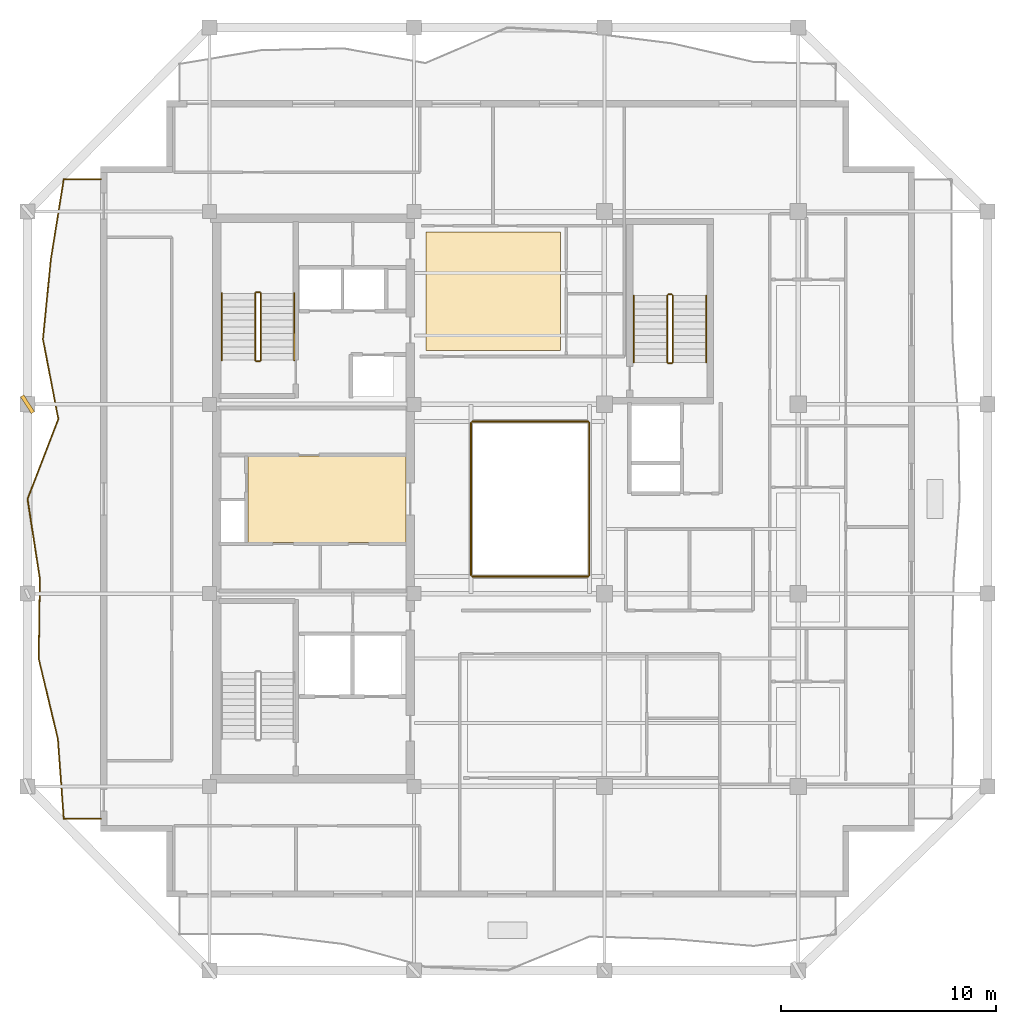
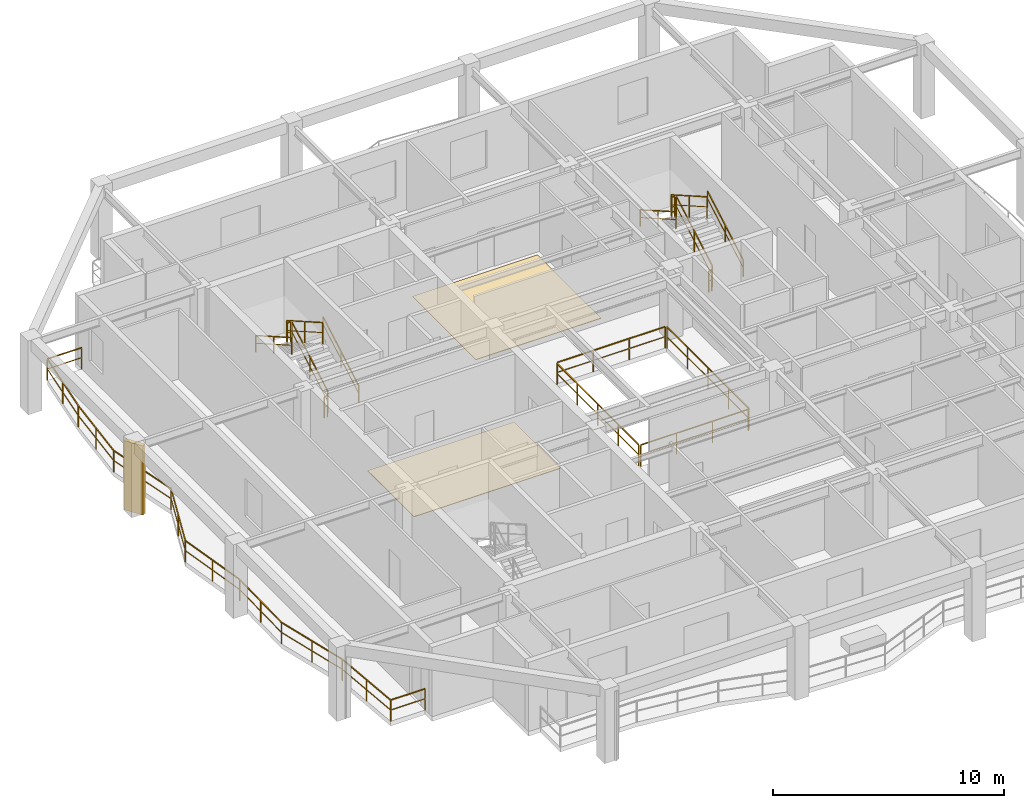
# One storey, part 8 of 10: 17 railings, 2 coverings, 1 shading device.
"""IFC4 building model written with IfcOpenShell, lengths in metres."""

from ifc_helpers import new_model, si_unit, direction, frame, origin, origin_2d, place, context, subcontext, project, spatial, polyline, rectangle, outline, extrude, material, layer, layer_set, type_object, element, save


model = new_model("IFC4")

# Units and contexts
model_context = context("Model", 3, precision=1e-05, world=origin(), true_north=direction((0.0, 1.0)))
body_context = subcontext(model_context, "Body", "Model", "MODEL_VIEW")
ifc_project = project(units=[si_unit("LENGTHUNIT", "METRE"), si_unit("AREAUNIT", "SQUARE_METRE"), si_unit("VOLUMEUNIT", "CUBIC_METRE"), si_unit("PLANEANGLEUNIT", "RADIAN"), si_unit("MASSUNIT", "GRAM", prefix="KILO")], contexts=[model_context])

# Site, building, storey
site_placement = place(None, origin())
site = spatial("IfcSite", under=ifc_project, at=site_placement, CompositionType="ELEMENT")
building_placement = place(site_placement, origin())
building = spatial("IfcBuilding", under=site, at=building_placement, Name="Kundavana Baori Tower", CompositionType="ELEMENT")
storey_placement = place(building_placement, frame((0.0, 0.0, 284.300048828125)))
storey = spatial("IfcBuildingStorey", under=building, at=storey_placement, Name="L70", CompositionType="ELEMENT", Elevation=284.300048828125)

# Coverings
ifc_material_1 = material(Name="Honed Kota Stone and Terrazzo Flooring", Category="masonry")
ifc_layer = layer(ifc_material_1, 0.030029296875, Name="COV-INT-FLR")
ifc_layer_set = layer_set([ifc_layer], Name="Honed Kota Stone and Terrazzo Flooring")
covering_type = type_object("IfcCoveringType", Name="COV-INT-FLR", PredefinedType="FLOORING", material=ifc_layer_set)
covering_1_placement = place(storey_placement, origin())
element("IfcCovering", 1, at=covering_1_placement, inside=storey, type_object=covering_type, Name="L70 Room Finished Stone Flooring 2", PredefinedType="FLOORING", context=body_context, shape_type="SweptSolid", body=[
    extrude(outline(polyline([(25.5, 35.5), (31.75, 35.5), (31.75, 41.010009765625), (25.5, 41.010009765625), (25.5, 35.5)])), origin(), (0.0, 0.0, 1.0), 0.030029296875),
])
covering_2_placement = place(storey_placement, origin())
element("IfcCovering", 2, at=covering_2_placement, inside=storey, type_object=covering_type, Name="L70 Core Lift Lobby Kota Stone Flooring", PredefinedType="FLOORING", context=body_context, shape_type="SweptSolid", body=[
    extrude(outline(polyline([(17.25, 26.580078125), (24.580078125, 26.580078125), (24.580078125, 30.60009765625), (17.25, 30.60009765625), (17.25, 26.580078125)])), origin(), (0.0, 0.0, 1.0), 0.030029296875),
])

# Railings
ifc_material_2 = material(Name="Architectural Patinated Bronze Metalwork")
railing_type_1 = type_object("IfcRailingType", Name="RL-BAL-1150", PredefinedType="BALUSTRADE", material=ifc_material_2)
railing_1_placement = place(storey_placement, frame((10.39990234375, 13.75, 0.0)))
element("IfcRailing", 3, at=railing_1_placement, inside=storey, type_object=railing_type_1, Name="L70 Loggia Balcony Balustrade W", PredefinedType="BALUSTRADE", context=body_context, shape_type="SweptSolid", body=[
    extrude(rectangle(XDim=0.048095703125, YDim=0.048095703125, at=origin_2d()), frame((0.0, 0.0, 1.1259765625), z_axis=(-1.0, 0.0, 0.0), x_axis=(0.0, -1.0, 0.0)), (0.0, 0.0, 1.0), 1.719970703125),
    extrude(rectangle(XDim=0.03125, YDim=0.03125, at=origin_2d()), frame((0.0, 0.0, 0.597900390625), z_axis=(-1.0, 0.0, 0.0), x_axis=(0.0, -1.0, 0.0)), (0.0, 0.0, 1.0), 1.719970703125),
    extrude(rectangle(XDim=0.048095703125, YDim=0.048095703125, at=origin_2d()), frame((-1.719970703125, 0.0, 1.1259765625), z_axis=(-0.073596242434, 0.997288119402, 0.0), x_axis=(-0.997288119402, -0.073596242434, 0.0)), (0.0, 0.0, 1.0), 3.721923828125),
    extrude(rectangle(XDim=0.03125, YDim=0.03125, at=origin_2d()), frame((-1.719970703125, 0.0, 0.597900390625), z_axis=(-0.073596242434, 0.997288119402, 0.0), x_axis=(-0.997288119402, -0.073596242434, 0.0)), (0.0, 0.0, 1.0), 3.721923828125),
    extrude(rectangle(XDim=0.048095703125, YDim=0.048095703125, at=origin_2d()), frame((-1.993896484375, 3.7119140625, 1.1259765625), z_axis=(-0.232577158128, 0.972577948299, 0.0), x_axis=(-0.972577948299, -0.232577158128, 0.0)), (0.0, 0.0, 1.0), 3.81787109375),
    extrude(rectangle(XDim=0.03125, YDim=0.03125, at=origin_2d()), frame((-1.993896484375, 3.7119140625, 0.597900390625), z_axis=(-0.232577158128, 0.972577948299, 0.0), x_axis=(-0.972577948299, -0.232577158128, 0.0)), (0.0, 0.0, 1.0), 3.81787109375),
    extrude(rectangle(XDim=0.048095703125, YDim=0.048095703125, at=origin_2d()), frame((-2.8818359375, 7.425048828125, 1.1259765625), z_axis=(0.014004412928, 0.999901933401, 0.0), x_axis=(-0.999901933401, 0.014004412928, 0.0)), (0.0, 0.0, 1.0), 3.713134765625),
    extrude(rectangle(XDim=0.03125, YDim=0.03125, at=origin_2d()), frame((-2.8818359375, 7.425048828125, 0.597900390625), z_axis=(0.014004412928, 0.999901933401, 0.0), x_axis=(-0.999901933401, 0.014004412928, 0.0)), (0.0, 0.0, 1.0), 3.713134765625),
    extrude(rectangle(XDim=0.048095703125, YDim=0.048095703125, at=origin_2d()), frame((-2.829833984375, 11.137939453125, 1.1259765625), z_axis=(-0.1517885131, 0.988412994295, 0.0), x_axis=(-0.988412994295, -0.1517885131, 0.0)), (0.0, 0.0, 1.0), 3.755615234375),
    extrude(rectangle(XDim=0.03125, YDim=0.03125, at=origin_2d()), frame((-2.829833984375, 11.137939453125, 0.597900390625), z_axis=(-0.1517885131, 0.988412994295, 0.0), x_axis=(-0.988412994295, -0.1517885131, 0.0)), (0.0, 0.0, 1.0), 3.755615234375),
    extrude(rectangle(XDim=0.048095703125, YDim=0.048095703125, at=origin_2d()), frame((-3.39990234375, 14.85009765625, 1.1259765625), z_axis=(0.359262870642, 0.933236406158, 0.0), x_axis=(-0.933236406158, 0.359262870642, 0.0)), (0.0, 0.0, 1.0), 3.9775390625),
    extrude(rectangle(XDim=0.03125, YDim=0.03125, at=origin_2d()), frame((-3.39990234375, 14.85009765625, 0.597900390625), z_axis=(0.359262870642, 0.933236406158, 0.0), x_axis=(-0.933236406158, 0.359262870642, 0.0)), (0.0, 0.0, 1.0), 3.9775390625),
    extrude(rectangle(XDim=0.048095703125, YDim=0.048095703125, at=origin_2d()), frame((-1.970947265625, 18.56201171875, 1.1259765625), z_axis=(-0.189369413955, 0.981905914565, 0.0), x_axis=(-0.981905914565, -0.189369413955, 0.0)), (0.0, 0.0, 1.0), 3.78125),
    extrude(rectangle(XDim=0.03125, YDim=0.03125, at=origin_2d()), frame((-1.970947265625, 18.56201171875, 0.597900390625), z_axis=(-0.189369413955, 0.981905914565, 0.0), x_axis=(-0.981905914565, -0.189369413955, 0.0)), (0.0, 0.0, 1.0), 3.78125),
    extrude(rectangle(XDim=0.048095703125, YDim=0.048095703125, at=origin_2d()), frame((-2.68701171875, 22.27490234375, 1.1259765625), z_axis=(0.098667997576, 0.995120407918, 0.0), x_axis=(-0.995120407918, 0.098667997576, 0.0)), (0.0, 0.0, 1.0), 3.7314453125),
    extrude(rectangle(XDim=0.03125, YDim=0.03125, at=origin_2d()), frame((-2.68701171875, 22.27490234375, 0.597900390625), z_axis=(0.098667997576, 0.995120407918, 0.0), x_axis=(-0.995120407918, 0.098667997576, 0.0)), (0.0, 0.0, 1.0), 3.7314453125),
    extrude(rectangle(XDim=0.048095703125, YDim=0.048095703125, at=origin_2d()), frame((-2.31884765625, 25.988037109375, 1.1259765625), z_axis=(0.159279392868, 0.987233546334, 0.0), x_axis=(-0.987233546334, 0.159279392868, 0.0)), (0.0, 0.0, 1.0), 3.760009765625),
    extrude(rectangle(XDim=0.03125, YDim=0.03125, at=origin_2d()), frame((-2.31884765625, 25.988037109375, 0.597900390625), z_axis=(0.159279392868, 0.987233546334, 0.0), x_axis=(-0.987233546334, 0.159279392868, 0.0)), (0.0, 0.0, 1.0), 3.760009765625),
    extrude(rectangle(XDim=0.048095703125, YDim=0.048095703125, at=origin_2d()), frame((-1.719970703125, 29.699951171875, 1.1259765625), z_axis=(1.0, 0.0, 0.0), x_axis=(0.0, 1.0, 0.0)), (0.0, 0.0, 1.0), 1.719970703125),
    extrude(rectangle(XDim=0.03125, YDim=0.03125, at=origin_2d()), frame((-1.719970703125, 29.699951171875, 0.597900390625), z_axis=(1.0, 0.0, 0.0), x_axis=(0.0, 1.0, 0.0)), (0.0, 0.0, 1.0), 1.719970703125),
    extrude(rectangle(XDim=0.0419921875, YDim=0.0419921875, at=origin_2d()), origin(), (0.0, 0.0, 1.0), 1.101806640625),
    extrude(rectangle(XDim=0.0419921875, YDim=0.0419921875, at=origin_2d()), frame((-1.719970703125, 0.0, 0.0)), (0.0, 0.0, 1.0), 1.101806640625),
    extrude(rectangle(XDim=0.0419921875, YDim=0.0419921875, at=origin_2d()), frame((-1.85693359375, 1.85595703125, 0.0)), (0.0, 0.0, 1.0), 1.101806640625),
    extrude(rectangle(XDim=0.0419921875, YDim=0.0419921875, at=origin_2d()), frame((-1.993896484375, 3.7119140625, 0.0)), (0.0, 0.0, 1.0), 1.101806640625),
    extrude(rectangle(XDim=0.0419921875, YDim=0.0419921875, at=origin_2d()), frame((-2.43798828125, 5.568359375, 0.0)), (0.0, 0.0, 1.0), 1.101806640625),
    extrude(rectangle(XDim=0.0419921875, YDim=0.0419921875, at=origin_2d()), frame((-2.8818359375, 7.425048828125, 0.0)), (0.0, 0.0, 1.0), 1.101806640625),
    extrude(rectangle(XDim=0.0419921875, YDim=0.0419921875, at=origin_2d()), frame((-2.85595703125, 9.281494140625, 0.0)), (0.0, 0.0, 1.0), 1.101806640625),
    extrude(rectangle(XDim=0.0419921875, YDim=0.0419921875, at=origin_2d()), frame((-2.829833984375, 11.137939453125, 0.0)), (0.0, 0.0, 1.0), 1.101806640625),
    extrude(rectangle(XDim=0.0419921875, YDim=0.0419921875, at=origin_2d()), frame((-3.11474609375, 12.994140625, 0.0)), (0.0, 0.0, 1.0), 1.101806640625),
    extrude(rectangle(XDim=0.0419921875, YDim=0.0419921875, at=origin_2d()), frame((-3.39990234375, 14.85009765625, 0.0)), (0.0, 0.0, 1.0), 1.101806640625),
    extrude(rectangle(XDim=0.0419921875, YDim=0.0419921875, at=origin_2d()), frame((-2.685546875, 16.7060546875, 0.0)), (0.0, 0.0, 1.0), 1.101806640625),
    extrude(rectangle(XDim=0.0419921875, YDim=0.0419921875, at=origin_2d()), frame((-1.970947265625, 18.56201171875, 0.0)), (0.0, 0.0, 1.0), 1.101806640625),
    extrude(rectangle(XDim=0.0419921875, YDim=0.0419921875, at=origin_2d()), frame((-2.3291015625, 20.41845703125, 0.0)), (0.0, 0.0, 1.0), 1.101806640625),
    extrude(rectangle(XDim=0.0419921875, YDim=0.0419921875, at=origin_2d()), frame((-2.68701171875, 22.27490234375, 0.0)), (0.0, 0.0, 1.0), 1.101806640625),
    extrude(rectangle(XDim=0.0419921875, YDim=0.0419921875, at=origin_2d()), frame((-2.5029296875, 24.13134765625, 0.0)), (0.0, 0.0, 1.0), 1.101806640625),
    extrude(rectangle(XDim=0.0419921875, YDim=0.0419921875, at=origin_2d()), frame((-2.31884765625, 25.988037109375, 0.0)), (0.0, 0.0, 1.0), 1.101806640625),
    extrude(rectangle(XDim=0.0419921875, YDim=0.0419921875, at=origin_2d()), frame((-2.01953125, 27.843994140625, 0.0)), (0.0, 0.0, 1.0), 1.101806640625),
    extrude(rectangle(XDim=0.0419921875, YDim=0.0419921875, at=origin_2d()), frame((-1.719970703125, 29.699951171875, 0.0)), (0.0, 0.0, 1.0), 1.101806640625),
    extrude(rectangle(XDim=0.0419921875, YDim=0.0419921875, at=origin_2d()), frame((0.0, 29.699951171875, 0.0)), (0.0, 0.0, 1.0), 1.101806640625),
])
ifc_material_3 = material(Name="Architectural Patinated Bronze Metalwork")
railing_type_2 = type_object("IfcRailingType", Name="RL-GRD-1150", PredefinedType="GUARDRAIL", material=ifc_material_3)
railing_2_placement = place(storey_placement, frame((17.840087890625, 35.050048828125, 0.17724609375)))
element("IfcRailing", 4, at=railing_2_placement, inside=storey, type_object=railing_type_2, Name="L70 ST2 stair guard 1", PredefinedType="GUARDRAIL", context=body_context, shape_type="SweptSolid", body=[
    extrude(rectangle(XDim=0.048095703125, YDim=0.048095703125, at=origin_2d()), frame((0.0, 0.0, 1.1259765625), z_axis=(0.0, 0.868079009454, 0.496426060301), x_axis=(-1.0, 0.0, 0.0)), (0.0, 0.0, 1.0), 3.571044921875),
    extrude(rectangle(XDim=0.03125, YDim=0.03125, at=origin_2d()), frame((0.0, 0.0, 0.597900390625), z_axis=(0.0, 0.868079009454, 0.496426060301), x_axis=(-1.0, 0.0, 0.0)), (0.0, 0.0, 1.0), 3.571044921875),
    extrude(rectangle(XDim=0.0419921875, YDim=0.0419921875, at=origin_2d()), origin(), (0.0, 0.0, 1.0), 1.101806640625),
    extrude(rectangle(XDim=0.0419921875, YDim=0.0419921875, at=origin_2d()), frame((0.0, 1.5498046875, 0.88623046875)), (0.0, 0.0, 1.0), 1.101806640625),
    extrude(rectangle(XDim=0.0419921875, YDim=0.0419921875, at=origin_2d()), frame((0.0, 3.099853515625, 1.772705078125)), (0.0, 0.0, 1.0), 1.101806640625),
])
railing_3_placement = place(storey_placement, frame((17.7900390625, 38.199951171875, 1.949951171875)))
element("IfcRailing", 5, at=railing_3_placement, inside=storey, type_object=railing_type_2, Name="L70 ST2 stair guard 2", PredefinedType="GUARDRAIL", context=body_context, shape_type="SweptSolid", body=[
    extrude(rectangle(XDim=0.048095703125, YDim=0.048095703125, at=origin_2d()), frame((0.0, 0.0, 1.1259765625), z_axis=(-1.0, 0.0, 0.0), x_axis=(0.0, -1.0, 0.0)), (0.0, 0.0, 1.0), 0.16015625),
    extrude(rectangle(XDim=0.03125, YDim=0.03125, at=origin_2d()), frame((0.0, 0.0, 0.597900390625), z_axis=(-1.0, 0.0, 0.0), x_axis=(0.0, -1.0, 0.0)), (0.0, 0.0, 1.0), 0.16015625),
    extrude(rectangle(XDim=0.0419921875, YDim=0.0419921875, at=origin_2d()), origin(), (0.0, 0.0, 1.0), 1.101806640625),
    extrude(rectangle(XDim=0.0419921875, YDim=0.0419921875, at=origin_2d()), frame((-0.16015625, 0.0, 0.0)), (0.0, 0.0, 1.0), 1.101806640625),
])
railing_4_placement = place(storey_placement, frame((17.580078125, 38.14990234375, 2.127197265625)))
element("IfcRailing", 6, at=railing_4_placement, inside=storey, type_object=railing_type_2, Name="L70 ST2 stair guard 3", PredefinedType="GUARDRAIL", context=body_context, shape_type="SweptSolid", body=[
    extrude(rectangle(XDim=0.048095703125, YDim=0.048095703125, at=origin_2d()), frame((0.0, 0.0, 1.1259765625), z_axis=(0.0, -0.868079009454, 0.496426060301), x_axis=(1.0, 0.0, 0.0)), (0.0, 0.0, 1.0), 3.571044921875),
    extrude(rectangle(XDim=0.03125, YDim=0.03125, at=origin_2d()), frame((0.0, 0.0, 0.597900390625), z_axis=(0.0, -0.868079009454, 0.496426060301), x_axis=(1.0, 0.0, 0.0)), (0.0, 0.0, 1.0), 3.571044921875),
    extrude(rectangle(XDim=0.0419921875, YDim=0.0419921875, at=origin_2d()), origin(), (0.0, 0.0, 1.0), 1.101806640625),
    extrude(rectangle(XDim=0.0419921875, YDim=0.0419921875, at=origin_2d()), frame((0.0, -1.5498046875, 0.88623046875)), (0.0, 0.0, 1.0), 1.101806640625),
    extrude(rectangle(XDim=0.0419921875, YDim=0.0419921875, at=origin_2d()), frame((0.0, -3.099853515625, 1.772705078125)), (0.0, 0.0, 1.0), 1.101806640625),
])
railing_5_placement = place(storey_placement, frame((17.7900390625, 35.0, 0.0)))
element("IfcRailing", 7, at=railing_5_placement, inside=storey, type_object=railing_type_2, Name="L70 ST2 stair guard 4", PredefinedType="GUARDRAIL", context=body_context, shape_type="SweptSolid", body=[
    extrude(rectangle(XDim=0.048095703125, YDim=0.048095703125, at=origin_2d()), frame((0.0, 0.0, 1.1259765625), z_axis=(-1.0, 0.0, 0.0), x_axis=(0.0, -1.0, 0.0)), (0.0, 0.0, 1.0), 0.16015625),
    extrude(rectangle(XDim=0.03125, YDim=0.03125, at=origin_2d()), frame((0.0, 0.0, 0.597900390625), z_axis=(-1.0, 0.0, 0.0), x_axis=(0.0, -1.0, 0.0)), (0.0, 0.0, 1.0), 0.16015625),
    extrude(rectangle(XDim=0.0419921875, YDim=0.0419921875, at=origin_2d()), origin(), (0.0, 0.0, 1.0), 1.101806640625),
    extrude(rectangle(XDim=0.0419921875, YDim=0.0419921875, at=origin_2d()), frame((-0.16015625, 0.0, 0.0)), (0.0, 0.0, 1.0), 1.101806640625),
])
railing_6_placement = place(storey_placement, frame((36.97998046875, 34.949951171875, 0.17724609375)))
element("IfcRailing", 8, at=railing_6_placement, inside=storey, type_object=railing_type_2, Name="L70 ST3 stair guard 1", PredefinedType="GUARDRAIL", context=body_context, shape_type="SweptSolid", body=[
    extrude(rectangle(XDim=0.048095703125, YDim=0.048095703125, at=origin_2d()), frame((0.0, 0.0, 1.1259765625), z_axis=(0.0, 0.868095856688, 0.496396599103), x_axis=(-1.0, 0.0, 0.0)), (0.0, 0.0, 1.0), 3.571044921875),
    extrude(rectangle(XDim=0.03125, YDim=0.03125, at=origin_2d()), frame((0.0, 0.0, 0.597900390625), z_axis=(0.0, 0.868095856688, 0.496396599103), x_axis=(-1.0, 0.0, 0.0)), (0.0, 0.0, 1.0), 3.571044921875),
    extrude(rectangle(XDim=0.0419921875, YDim=0.0419921875, at=origin_2d()), origin(), (0.0, 0.0, 1.0), 1.101806640625),
    extrude(rectangle(XDim=0.0419921875, YDim=0.0419921875, at=origin_2d()), frame((0.0, 1.550048828125, 0.88623046875)), (0.0, 0.0, 1.0), 1.101806640625),
    extrude(rectangle(XDim=0.0419921875, YDim=0.0419921875, at=origin_2d()), frame((0.0, 3.10009765625, 1.772705078125)), (0.0, 0.0, 1.0), 1.101806640625),
])
railing_7_placement = place(storey_placement, frame((36.929931640625, 38.10009765625, 1.949951171875)))
element("IfcRailing", 9, at=railing_7_placement, inside=storey, type_object=railing_type_2, Name="L70 ST3 stair guard 2", PredefinedType="GUARDRAIL", context=body_context, shape_type="SweptSolid", body=[
    extrude(rectangle(XDim=0.048095703125, YDim=0.048095703125, at=origin_2d()), frame((0.0, 0.0, 1.1259765625), z_axis=(-1.0, 0.0, 0.0), x_axis=(0.0, -1.0, 0.0)), (0.0, 0.0, 1.0), 0.159912109375),
    extrude(rectangle(XDim=0.03125, YDim=0.03125, at=origin_2d()), frame((0.0, 0.0, 0.597900390625), z_axis=(-1.0, 0.0, 0.0), x_axis=(0.0, -1.0, 0.0)), (0.0, 0.0, 1.0), 0.159912109375),
    extrude(rectangle(XDim=0.0419921875, YDim=0.0419921875, at=origin_2d()), origin(), (0.0, 0.0, 1.0), 1.101806640625),
    extrude(rectangle(XDim=0.0419921875, YDim=0.0419921875, at=origin_2d()), frame((-0.159912109375, 0.0, 0.0)), (0.0, 0.0, 1.0), 1.101806640625),
])
railing_8_placement = place(storey_placement, frame((36.719970703125, 38.050048828125, 2.127197265625)))
element("IfcRailing", 10, at=railing_8_placement, inside=storey, type_object=railing_type_2, Name="L70 ST3 stair guard 3", PredefinedType="GUARDRAIL", context=body_context, shape_type="SweptSolid", body=[
    extrude(rectangle(XDim=0.048095703125, YDim=0.048095703125, at=origin_2d()), frame((0.0, 0.0, 1.1259765625), z_axis=(0.0, -0.868095856688, 0.496396599103), x_axis=(1.0, 0.0, 0.0)), (0.0, 0.0, 1.0), 3.571044921875),
    extrude(rectangle(XDim=0.03125, YDim=0.03125, at=origin_2d()), frame((0.0, 0.0, 0.597900390625), z_axis=(0.0, -0.868095856688, 0.496396599103), x_axis=(1.0, 0.0, 0.0)), (0.0, 0.0, 1.0), 3.571044921875),
    extrude(rectangle(XDim=0.0419921875, YDim=0.0419921875, at=origin_2d()), origin(), (0.0, 0.0, 1.0), 1.101806640625),
    extrude(rectangle(XDim=0.0419921875, YDim=0.0419921875, at=origin_2d()), frame((0.0, -1.550048828125, 0.88623046875)), (0.0, 0.0, 1.0), 1.101806640625),
    extrude(rectangle(XDim=0.0419921875, YDim=0.0419921875, at=origin_2d()), frame((0.0, -3.10009765625, 1.772705078125)), (0.0, 0.0, 1.0), 1.101806640625),
])
railing_9_placement = place(storey_placement, frame((36.929931640625, 34.89990234375, 0.0)))
element("IfcRailing", 11, at=railing_9_placement, inside=storey, type_object=railing_type_2, Name="L70 ST3 stair guard 4", PredefinedType="GUARDRAIL", context=body_context, shape_type="SweptSolid", body=[
    extrude(rectangle(XDim=0.048095703125, YDim=0.048095703125, at=origin_2d()), frame((0.0, 0.0, 1.1259765625), z_axis=(-1.0, 0.0, 0.0), x_axis=(0.0, -1.0, 0.0)), (0.0, 0.0, 1.0), 0.159912109375),
    extrude(rectangle(XDim=0.03125, YDim=0.03125, at=origin_2d()), frame((0.0, 0.0, 0.597900390625), z_axis=(-1.0, 0.0, 0.0), x_axis=(0.0, -1.0, 0.0)), (0.0, 0.0, 1.0), 0.159912109375),
    extrude(rectangle(XDim=0.0419921875, YDim=0.0419921875, at=origin_2d()), origin(), (0.0, 0.0, 1.0), 1.101806640625),
    extrude(rectangle(XDim=0.0419921875, YDim=0.0419921875, at=origin_2d()), frame((-0.159912109375, 0.0, 0.0)), (0.0, 0.0, 1.0), 1.101806640625),
])
railing_10_placement = place(storey_placement, frame((27.659912109375, 25.0, 0.0)))
element("IfcRailing", 12, at=railing_10_placement, inside=storey, type_object=railing_type_2, Name="L70 Atrium Void Perimeter Guardrail S", PredefinedType="GUARDRAIL", context=body_context, shape_type="SweptSolid", body=[
    extrude(rectangle(XDim=0.048095703125, YDim=0.048095703125, at=origin_2d()), frame((0.0, 0.0, 1.1259765625), z_axis=(1.0, 0.0, 0.0), x_axis=(0.0, 1.0, 0.0)), (0.0, 0.0, 1.0), 5.380126953125),
    extrude(rectangle(XDim=0.03125, YDim=0.03125, at=origin_2d()), frame((0.0, 0.0, 0.597900390625), z_axis=(1.0, 0.0, 0.0), x_axis=(0.0, 1.0, 0.0)), (0.0, 0.0, 1.0), 5.380126953125),
    extrude(rectangle(XDim=0.0419921875, YDim=0.0419921875, at=origin_2d()), origin(), (0.0, 0.0, 1.0), 1.101806640625),
    extrude(rectangle(XDim=0.0419921875, YDim=0.0419921875, at=origin_2d()), frame((1.79345703125, 0.0, 0.0)), (0.0, 0.0, 1.0), 1.101806640625),
    extrude(rectangle(XDim=0.0419921875, YDim=0.0419921875, at=origin_2d()), frame((3.586669921875, 0.0, 0.0)), (0.0, 0.0, 1.0), 1.101806640625),
    extrude(rectangle(XDim=0.0419921875, YDim=0.0419921875, at=origin_2d()), frame((5.380126953125, 0.0, 0.0)), (0.0, 0.0, 1.0), 1.101806640625),
])
railing_11_placement = place(storey_placement, frame((33.10009765625, 25.06005859375, 0.0)))
element("IfcRailing", 13, at=railing_11_placement, inside=storey, type_object=railing_type_2, Name="L70 Atrium Void Perimeter Guardrail E", PredefinedType="GUARDRAIL", context=body_context, shape_type="SweptSolid", body=[
    extrude(rectangle(XDim=0.048095703125, YDim=0.048095703125, at=origin_2d()), frame((0.0, 0.0, 1.1259765625), z_axis=(0.0, 1.0, 0.0), x_axis=(-1.0, 0.0, 0.0)), (0.0, 0.0, 1.0), 7.079833984375),
    extrude(rectangle(XDim=0.03125, YDim=0.03125, at=origin_2d()), frame((0.0, 0.0, 0.597900390625), z_axis=(0.0, 1.0, 0.0), x_axis=(-1.0, 0.0, 0.0)), (0.0, 0.0, 1.0), 7.079833984375),
    extrude(rectangle(XDim=0.0419921875, YDim=0.0419921875, at=origin_2d()), origin(), (0.0, 0.0, 1.0), 1.101806640625),
    extrude(rectangle(XDim=0.0419921875, YDim=0.0419921875, at=origin_2d()), frame((0.0, 1.77001953125, 0.0)), (0.0, 0.0, 1.0), 1.101806640625),
    extrude(rectangle(XDim=0.0419921875, YDim=0.0419921875, at=origin_2d()), frame((0.0, 3.5400390625, 0.0)), (0.0, 0.0, 1.0), 1.101806640625),
    extrude(rectangle(XDim=0.0419921875, YDim=0.0419921875, at=origin_2d()), frame((0.0, 5.309814453125, 0.0)), (0.0, 0.0, 1.0), 1.101806640625),
    extrude(rectangle(XDim=0.0419921875, YDim=0.0419921875, at=origin_2d()), frame((0.0, 7.079833984375, 0.0)), (0.0, 0.0, 1.0), 1.101806640625),
])
railing_12_placement = place(storey_placement, frame((33.0400390625, 32.199951171875, 0.0)))
element("IfcRailing", 14, at=railing_12_placement, inside=storey, type_object=railing_type_2, Name="L70 Atrium Void Perimeter Guardrail N", PredefinedType="GUARDRAIL", context=body_context, shape_type="SweptSolid", body=[
    extrude(rectangle(XDim=0.048095703125, YDim=0.048095703125, at=origin_2d()), frame((0.0, 0.0, 1.1259765625), z_axis=(-1.0, 0.0, 0.0), x_axis=(0.0, -1.0, 0.0)), (0.0, 0.0, 1.0), 5.380126953125),
    extrude(rectangle(XDim=0.03125, YDim=0.03125, at=origin_2d()), frame((0.0, 0.0, 0.597900390625), z_axis=(-1.0, 0.0, 0.0), x_axis=(0.0, -1.0, 0.0)), (0.0, 0.0, 1.0), 5.380126953125),
    extrude(rectangle(XDim=0.0419921875, YDim=0.0419921875, at=origin_2d()), origin(), (0.0, 0.0, 1.0), 1.101806640625),
    extrude(rectangle(XDim=0.0419921875, YDim=0.0419921875, at=origin_2d()), frame((-1.79345703125, 0.0, 0.0)), (0.0, 0.0, 1.0), 1.101806640625),
    extrude(rectangle(XDim=0.0419921875, YDim=0.0419921875, at=origin_2d()), frame((-3.586669921875, 0.0, 0.0)), (0.0, 0.0, 1.0), 1.101806640625),
    extrude(rectangle(XDim=0.0419921875, YDim=0.0419921875, at=origin_2d()), frame((-5.380126953125, 0.0, 0.0)), (0.0, 0.0, 1.0), 1.101806640625),
])
railing_13_placement = place(storey_placement, frame((27.60009765625, 32.139892578125, 0.0)))
element("IfcRailing", 15, at=railing_13_placement, inside=storey, type_object=railing_type_2, Name="L70 Atrium Void Perimeter Guardrail W", PredefinedType="GUARDRAIL", context=body_context, shape_type="SweptSolid", body=[
    extrude(rectangle(XDim=0.048095703125, YDim=0.048095703125, at=origin_2d()), frame((0.0, 0.0, 1.1259765625), z_axis=(0.0, -1.0, 0.0), x_axis=(1.0, 0.0, 0.0)), (0.0, 0.0, 1.0), 7.079833984375),
    extrude(rectangle(XDim=0.03125, YDim=0.03125, at=origin_2d()), frame((0.0, 0.0, 0.597900390625), z_axis=(0.0, -1.0, 0.0), x_axis=(1.0, 0.0, 0.0)), (0.0, 0.0, 1.0), 7.079833984375),
    extrude(rectangle(XDim=0.0419921875, YDim=0.0419921875, at=origin_2d()), origin(), (0.0, 0.0, 1.0), 1.101806640625),
    extrude(rectangle(XDim=0.0419921875, YDim=0.0419921875, at=origin_2d()), frame((0.0, -1.77001953125, 0.0)), (0.0, 0.0, 1.0), 1.101806640625),
    extrude(rectangle(XDim=0.0419921875, YDim=0.0419921875, at=origin_2d()), frame((0.0, -3.5400390625, 0.0)), (0.0, 0.0, 1.0), 1.101806640625),
    extrude(rectangle(XDim=0.0419921875, YDim=0.0419921875, at=origin_2d()), frame((0.0, -5.309814453125, 0.0)), (0.0, 0.0, 1.0), 1.101806640625),
    extrude(rectangle(XDim=0.0419921875, YDim=0.0419921875, at=origin_2d()), frame((0.0, -7.079833984375, 0.0)), (0.0, 0.0, 1.0), 1.101806640625),
])
ifc_material_4 = material(Name="Architectural Patinated Bronze Metalwork")
railing_type_3 = type_object("IfcRailingType", Name="RL-HND-920", PredefinedType="HANDRAIL", material=ifc_material_4)
railing_14_placement = place(storey_placement, frame((19.389892578125, 35.050048828125, 0.17724609375)))
element("IfcRailing", 16, at=railing_14_placement, inside=storey, type_object=railing_type_3, Name="L70 ST2 stair handrail 1", PredefinedType="HANDRAIL", context=body_context, shape_type="SweptSolid", body=[
    extrude(rectangle(XDim=0.048095703125, YDim=0.048095703125, at=origin_2d()), frame((0.0, 0.0, 0.8759765625), z_axis=(0.0, 0.868079009454, 0.496426060301), x_axis=(-1.0, 0.0, 0.0)), (0.0, 0.0, 1.0), 3.571044921875),
    extrude(rectangle(XDim=0.03125, YDim=0.03125, at=origin_2d()), frame((0.0, 0.0, 0.468017578125), z_axis=(0.0, 0.868079009454, 0.496426060301), x_axis=(-1.0, 0.0, 0.0)), (0.0, 0.0, 1.0), 3.571044921875),
    extrude(rectangle(XDim=0.0419921875, YDim=0.0419921875, at=origin_2d()), origin(), (0.0, 0.0, 1.0), 0.851806640625),
    extrude(rectangle(XDim=0.0419921875, YDim=0.0419921875, at=origin_2d()), frame((0.0, 1.5498046875, 0.88623046875)), (0.0, 0.0, 1.0), 0.851806640625),
    extrude(rectangle(XDim=0.0419921875, YDim=0.0419921875, at=origin_2d()), frame((0.0, 3.099853515625, 1.772705078125)), (0.0, 0.0, 1.0), 0.851806640625),
])
railing_15_placement = place(storey_placement, frame((16.030029296875, 38.14990234375, 2.127197265625)))
element("IfcRailing", 17, at=railing_15_placement, inside=storey, type_object=railing_type_3, Name="L70 ST2 stair handrail 2", PredefinedType="HANDRAIL", context=body_context, shape_type="SweptSolid", body=[
    extrude(rectangle(XDim=0.048095703125, YDim=0.048095703125, at=origin_2d()), frame((0.0, 0.0, 0.8759765625), z_axis=(0.0, -0.868079009454, 0.496426060301), x_axis=(1.0, 0.0, 0.0)), (0.0, 0.0, 1.0), 3.571044921875),
    extrude(rectangle(XDim=0.03125, YDim=0.03125, at=origin_2d()), frame((0.0, 0.0, 0.468017578125), z_axis=(0.0, -0.868079009454, 0.496426060301), x_axis=(1.0, 0.0, 0.0)), (0.0, 0.0, 1.0), 3.571044921875),
    extrude(rectangle(XDim=0.0419921875, YDim=0.0419921875, at=origin_2d()), origin(), (0.0, 0.0, 1.0), 0.851806640625),
    extrude(rectangle(XDim=0.0419921875, YDim=0.0419921875, at=origin_2d()), frame((0.0, -1.5498046875, 0.88623046875)), (0.0, 0.0, 1.0), 0.851806640625),
    extrude(rectangle(XDim=0.0419921875, YDim=0.0419921875, at=origin_2d()), frame((0.0, -3.099853515625, 1.772705078125)), (0.0, 0.0, 1.0), 0.851806640625),
])
railing_16_placement = place(storey_placement, frame((38.530029296875, 34.949951171875, 0.17724609375)))
element("IfcRailing", 18, at=railing_16_placement, inside=storey, type_object=railing_type_3, Name="L70 ST3 stair handrail 1", PredefinedType="HANDRAIL", context=body_context, shape_type="SweptSolid", body=[
    extrude(rectangle(XDim=0.048095703125, YDim=0.048095703125, at=origin_2d()), frame((0.0, 0.0, 0.8759765625), z_axis=(0.0, 0.868095856688, 0.496396599103), x_axis=(-1.0, 0.0, 0.0)), (0.0, 0.0, 1.0), 3.571044921875),
    extrude(rectangle(XDim=0.03125, YDim=0.03125, at=origin_2d()), frame((0.0, 0.0, 0.468017578125), z_axis=(0.0, 0.868095856688, 0.496396599103), x_axis=(-1.0, 0.0, 0.0)), (0.0, 0.0, 1.0), 3.571044921875),
    extrude(rectangle(XDim=0.0419921875, YDim=0.0419921875, at=origin_2d()), origin(), (0.0, 0.0, 1.0), 0.851806640625),
    extrude(rectangle(XDim=0.0419921875, YDim=0.0419921875, at=origin_2d()), frame((0.0, 1.550048828125, 0.88623046875)), (0.0, 0.0, 1.0), 0.851806640625),
    extrude(rectangle(XDim=0.0419921875, YDim=0.0419921875, at=origin_2d()), frame((0.0, 3.10009765625, 1.772705078125)), (0.0, 0.0, 1.0), 0.851806640625),
])
railing_17_placement = place(storey_placement, frame((35.169921875, 38.050048828125, 2.127197265625)))
element("IfcRailing", 19, at=railing_17_placement, inside=storey, type_object=railing_type_3, Name="L70 ST3 stair handrail 2", PredefinedType="HANDRAIL", context=body_context, shape_type="SweptSolid", body=[
    extrude(rectangle(XDim=0.048095703125, YDim=0.048095703125, at=origin_2d()), frame((0.0, 0.0, 0.8759765625), z_axis=(0.0, -0.868095856688, 0.496396599103), x_axis=(1.0, 0.0, 0.0)), (0.0, 0.0, 1.0), 3.571044921875),
    extrude(rectangle(XDim=0.03125, YDim=0.03125, at=origin_2d()), frame((0.0, 0.0, 0.468017578125), z_axis=(0.0, -0.868095856688, 0.496396599103), x_axis=(1.0, 0.0, 0.0)), (0.0, 0.0, 1.0), 3.571044921875),
    extrude(rectangle(XDim=0.0419921875, YDim=0.0419921875, at=origin_2d()), origin(), (0.0, 0.0, 1.0), 0.851806640625),
    extrude(rectangle(XDim=0.0419921875, YDim=0.0419921875, at=origin_2d()), frame((0.0, -1.550048828125, 0.88623046875)), (0.0, 0.0, 1.0), 0.851806640625),
    extrude(rectangle(XDim=0.0419921875, YDim=0.0419921875, at=origin_2d()), frame((0.0, -3.10009765625, 1.772705078125)), (0.0, 0.0, 1.0), 0.851806640625),
])

# Shading device
ifc_material_5 = material(Name="Red-Buff Dholpur Sandstone Cladding on Concrete C40/50", Category="masonry")
shading_device_type = type_object("IfcShadingDeviceType", Name="SHD-FIN-920", PredefinedType="JALOUSIE", material=ifc_material_5)
shading_device_placement = place(storey_placement, frame((7.0, 33.0, 0.0), z_axis=(0.0, 0.0, 1.0), x_axis=(0.840188215011, 0.542294904417, 0.0)))
element("IfcShadingDevice", 20, at=shading_device_placement, inside=storey, type_object=shading_device_type, Name="L70 Sweeping Dholpur Sandstone Facade Fin 7", PredefinedType="JALOUSIE", context=body_context, shape_type="SweptSolid", body=[
    extrude(rectangle(XDim=0.179931640625, YDim=0.919921875, at=origin_2d()), origin(), (0.0, 0.0, 1.0), 3.659912109375),
])

save(model, "model.ifc")
